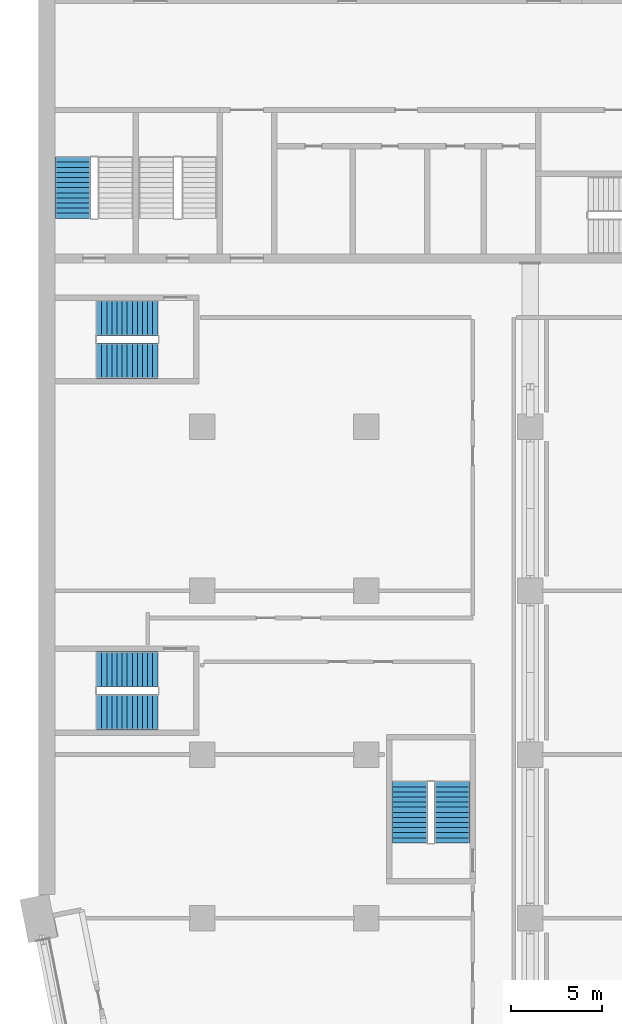
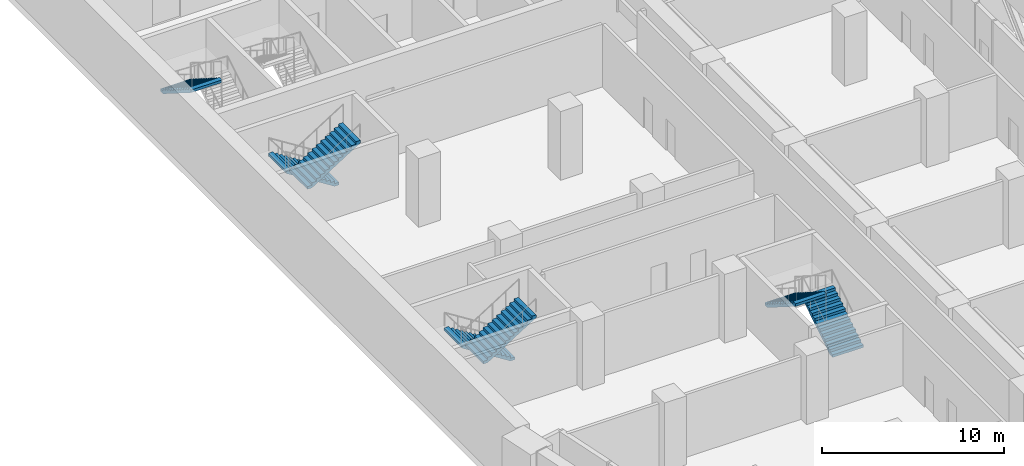
# One storey, part 15 of 24: 7 stair flights, 4 elements without a shape of their own.
"""IFC4 building model written with IfcOpenShell, lengths in metres."""

from ifc_helpers import new_model, si_unit, direction, frame, origin, place, context, subcontext, project, spatial, polyline, outline, extrude, material, type_object, element, aggregate, save


model = new_model("IFC4")

# Units and contexts
model_context = context("Model", 3, precision=1e-05, world=origin(), true_north=direction((0.0, 1.0)))
body_context = subcontext(model_context, "Body", "Model", "MODEL_VIEW")
ifc_project = project(units=[si_unit("LENGTHUNIT", "METRE"), si_unit("AREAUNIT", "SQUARE_METRE"), si_unit("VOLUMEUNIT", "CUBIC_METRE"), si_unit("PLANEANGLEUNIT", "RADIAN"), si_unit("MASSUNIT", "GRAM", prefix="KILO")], contexts=[model_context])

# Site, building, storey
site_placement = place(None, origin())
site = spatial("IfcSite", under=ifc_project, at=site_placement, CompositionType="ELEMENT")
building_placement = place(site_placement, origin())
building = spatial("IfcBuilding", under=site, at=building_placement, Name="Hunhe Ridgeline Campus", CompositionType="ELEMENT")
storey_placement = place(building_placement, frame((0.0, 0.0, 80.199951171875)))
storey = spatial("IfcBuildingStorey", under=building, at=storey_placement, Name="L19", CompositionType="ELEMENT", Elevation=80.199951171875)

# Stair, stair flight
ifc_material = material(Name="Concrete C40", Category="concrete")
stair_type = type_object("IfcStairType", Name="Reinforced concrete dog-leg stair 1950 Concrete C40", PredefinedType="HALF_TURN_STAIR", material=ifc_material)
stair_1_placement = place(storey_placement, origin())
stair_1 = element("IfcStair", 1, at=stair_1_placement, inside=storey, type_object=stair_type, Name="L19 S3", PredefinedType="HALF_TURN_STAIR")
stair_flight_type = type_object("IfcStairFlightType", Name="Reinforced concrete stair flight 1950 Concrete C40", PredefinedType="STRAIGHT", material=ifc_material)
stair_flight_1_placement = place(storey_placement, frame((1.875, 68.81005859375, 2.300048828125), z_axis=(0.0, 0.0, 1.0), x_axis=(0.0, -1.0, 0.0)))
stair_flight_1 = element("IfcStairFlight", 2, at=stair_flight_1_placement, type_object=stair_flight_type, Name="ST3 flight 2", NumberOfRisers=13, NumberOfTreads=12, PredefinedType="STRAIGHT", RiserHeight=0.176923077, TreadLength=0.28, context=body_context, shape_type="SweptSolid", body=[
    extrude(outline(polyline([(0.0, 0.0), (0.0, 0.177001953125), (0.280029296875, 0.177001953125), (0.280029296875, 0.353759765625), (0.56005859375, 0.353759765625), (0.56005859375, 0.53076171875), (0.840087890625, 0.53076171875), (0.840087890625, 0.707763671875), (1.1201171875, 0.707763671875), (1.1201171875, 0.884521484375), (1.39990234375, 0.884521484375), (1.39990234375, 1.0615234375), (1.679931640625, 1.0615234375), (1.679931640625, 1.238525390625), (1.9599609375, 1.238525390625), (1.9599609375, 1.415283203125), (2.239990234375, 1.415283203125), (2.239990234375, 1.59228515625), (2.52001953125, 1.59228515625), (2.52001953125, 1.769287109375), (2.800048828125, 1.769287109375), (2.800048828125, 1.946044921875), (3.080078125, 1.946044921875), (3.080078125, 2.123046875), (3.360107421875, 2.123046875), (3.360107421875, 2.300048828125), (3.360107421875, 1.94580078125), (0.280517578125, 0.0), (0.0, 0.0)])), frame((0.0, 0.97509765625, 0.0), z_axis=(0.0, -1.0, 0.0), x_axis=(1.0, 0.0, 0.0)), (0.0, 0.0, 1.0), 1.949951171875),
    extrude(outline(polyline([(0.030029296875, 0.030029296875), (0.030029296875, 0.14697265625), (0.31005859375, 0.14697265625), (0.31005859375, 0.32373046875), (0.590087890625, 0.32373046875), (0.590087890625, 0.500732421875), (0.8701171875, 0.500732421875), (0.8701171875, 0.677734375), (1.14990234375, 0.677734375), (1.14990234375, 0.8544921875), (1.429931640625, 0.8544921875), (1.429931640625, 1.031494140625), (1.7099609375, 1.031494140625), (1.7099609375, 1.20849609375), (1.989990234375, 1.20849609375), (1.989990234375, 1.385498046875), (2.27001953125, 1.385498046875), (2.27001953125, 1.562255859375), (2.550048828125, 1.562255859375), (2.550048828125, 1.7392578125), (2.830078125, 1.7392578125), (2.830078125, 1.916259765625), (3.110107421875, 1.916259765625), (3.110107421875, 2.093017578125), (3.330078125, 2.093017578125), (3.330078125, 1.96240234375), (0.27197265625, 0.030029296875), (0.030029296875, 0.030029296875)])), frame((0.0, -0.070068359375, 0.0), z_axis=(0.0, -1.0, 0.0), x_axis=(1.0, 0.0, 0.0)), (0.0, 0.0, 1.0), 0.019775390625),
    extrude(outline(polyline([(0.030029296875, 0.030029296875), (0.030029296875, 0.14697265625), (0.31005859375, 0.14697265625), (0.31005859375, 0.32373046875), (0.590087890625, 0.32373046875), (0.590087890625, 0.500732421875), (0.8701171875, 0.500732421875), (0.8701171875, 0.677734375), (1.14990234375, 0.677734375), (1.14990234375, 0.8544921875), (1.429931640625, 0.8544921875), (1.429931640625, 1.031494140625), (1.7099609375, 1.031494140625), (1.7099609375, 1.20849609375), (1.989990234375, 1.20849609375), (1.989990234375, 1.385498046875), (2.27001953125, 1.385498046875), (2.27001953125, 1.562255859375), (2.550048828125, 1.562255859375), (2.550048828125, 1.7392578125), (2.830078125, 1.7392578125), (2.830078125, 1.916259765625), (3.110107421875, 1.916259765625), (3.110107421875, 2.093017578125), (3.330078125, 2.093017578125), (3.330078125, 1.96240234375), (0.27197265625, 0.030029296875), (0.030029296875, 0.030029296875)])), frame((0.0, 0.010009765625, 0.0), z_axis=(0.0, -1.0, 0.0), x_axis=(1.0, 0.0, 0.0)), (0.0, 0.0, 1.0), 0.019775390625),
    extrude(outline(polyline([(0.030029296875, 0.030029296875), (0.030029296875, 0.14697265625), (0.31005859375, 0.14697265625), (0.31005859375, 0.32373046875), (0.590087890625, 0.32373046875), (0.590087890625, 0.500732421875), (0.8701171875, 0.500732421875), (0.8701171875, 0.677734375), (1.14990234375, 0.677734375), (1.14990234375, 0.8544921875), (1.429931640625, 0.8544921875), (1.429931640625, 1.031494140625), (1.7099609375, 1.031494140625), (1.7099609375, 1.20849609375), (1.989990234375, 1.20849609375), (1.989990234375, 1.385498046875), (2.27001953125, 1.385498046875), (2.27001953125, 1.562255859375), (2.550048828125, 1.562255859375), (2.550048828125, 1.7392578125), (2.830078125, 1.7392578125), (2.830078125, 1.916259765625), (3.110107421875, 1.916259765625), (3.110107421875, 2.093017578125), (3.330078125, 2.093017578125), (3.330078125, 1.96240234375), (0.27197265625, 0.030029296875), (0.030029296875, 0.030029296875)])), frame((0.0, 0.090087890625, 0.0), z_axis=(0.0, -1.0, 0.0), x_axis=(1.0, 0.0, 0.0)), (0.0, 0.0, 1.0), 0.019775390625),
])
aggregate(stair_1, [stair_flight_1])

# Stair, stair flights
stair_2_placement = place(storey_placement, origin())
stair_2 = element("IfcStair", 3, at=stair_2_placement, inside=storey, type_object=stair_type, Name="L19 W3", PredefinedType="HALF_TURN_STAIR")
stair_flight_2_placement = place(storey_placement, frame((22.72509765625, 31.14990234375, 0.0), z_axis=(0.0, 0.0, 1.0), x_axis=(0.0, 1.0, 0.0)))
stair_flight_2 = element("IfcStairFlight", 4, at=stair_flight_2_placement, type_object=stair_flight_type, Name="ST9 flight 1", NumberOfRisers=13, NumberOfTreads=12, PredefinedType="STRAIGHT", RiserHeight=0.176923077, TreadLength=0.28, context=body_context, shape_type="SweptSolid", body=[
    extrude(outline(polyline([(0.0, 0.0), (0.0, 0.177001953125), (0.280029296875, 0.177001953125), (0.280029296875, 0.353759765625), (0.56005859375, 0.353759765625), (0.56005859375, 0.53076171875), (0.840087890625, 0.53076171875), (0.840087890625, 0.707763671875), (1.1201171875, 0.707763671875), (1.1201171875, 0.884521484375), (1.39990234375, 0.884521484375), (1.39990234375, 1.0615234375), (1.679931640625, 1.0615234375), (1.679931640625, 1.238525390625), (1.9599609375, 1.238525390625), (1.9599609375, 1.415283203125), (2.239990234375, 1.415283203125), (2.239990234375, 1.59228515625), (2.52001953125, 1.59228515625), (2.52001953125, 1.769287109375), (2.800048828125, 1.769287109375), (2.800048828125, 1.946044921875), (3.080078125, 1.946044921875), (3.080078125, 2.123046875), (3.360107421875, 2.123046875), (3.360107421875, 2.300048828125), (3.360107421875, 1.94580078125), (0.280517578125, 0.0), (0.0, 0.0)])), frame((0.0, 0.97509765625, 0.0), z_axis=(0.0, -1.0, 0.0), x_axis=(1.0, 0.0, 0.0)), (0.0, 0.0, 1.0), 1.949951171875),
    extrude(outline(polyline([(0.030029296875, 0.030029296875), (0.030029296875, 0.14697265625), (0.31005859375, 0.14697265625), (0.31005859375, 0.32373046875), (0.590087890625, 0.32373046875), (0.590087890625, 0.500732421875), (0.8701171875, 0.500732421875), (0.8701171875, 0.677734375), (1.14990234375, 0.677734375), (1.14990234375, 0.8544921875), (1.429931640625, 0.8544921875), (1.429931640625, 1.031494140625), (1.7099609375, 1.031494140625), (1.7099609375, 1.20849609375), (1.989990234375, 1.20849609375), (1.989990234375, 1.385498046875), (2.27001953125, 1.385498046875), (2.27001953125, 1.562255859375), (2.550048828125, 1.562255859375), (2.550048828125, 1.7392578125), (2.830078125, 1.7392578125), (2.830078125, 1.916259765625), (3.110107421875, 1.916259765625), (3.110107421875, 2.093017578125), (3.330078125, 2.093017578125), (3.330078125, 1.96240234375), (0.27197265625, 0.030029296875), (0.030029296875, 0.030029296875)])), frame((0.0, -0.070068359375, 0.0), z_axis=(0.0, -1.0, 0.0), x_axis=(1.0, 0.0, 0.0)), (0.0, 0.0, 1.0), 0.019775390625),
    extrude(outline(polyline([(0.030029296875, 0.030029296875), (0.030029296875, 0.14697265625), (0.31005859375, 0.14697265625), (0.31005859375, 0.32373046875), (0.590087890625, 0.32373046875), (0.590087890625, 0.500732421875), (0.8701171875, 0.500732421875), (0.8701171875, 0.677734375), (1.14990234375, 0.677734375), (1.14990234375, 0.8544921875), (1.429931640625, 0.8544921875), (1.429931640625, 1.031494140625), (1.7099609375, 1.031494140625), (1.7099609375, 1.20849609375), (1.989990234375, 1.20849609375), (1.989990234375, 1.385498046875), (2.27001953125, 1.385498046875), (2.27001953125, 1.562255859375), (2.550048828125, 1.562255859375), (2.550048828125, 1.7392578125), (2.830078125, 1.7392578125), (2.830078125, 1.916259765625), (3.110107421875, 1.916259765625), (3.110107421875, 2.093017578125), (3.330078125, 2.093017578125), (3.330078125, 1.96240234375), (0.27197265625, 0.030029296875), (0.030029296875, 0.030029296875)])), frame((0.0, 0.010009765625, 0.0), z_axis=(0.0, -1.0, 0.0), x_axis=(1.0, 0.0, 0.0)), (0.0, 0.0, 1.0), 0.019775390625),
    extrude(outline(polyline([(0.030029296875, 0.030029296875), (0.030029296875, 0.14697265625), (0.31005859375, 0.14697265625), (0.31005859375, 0.32373046875), (0.590087890625, 0.32373046875), (0.590087890625, 0.500732421875), (0.8701171875, 0.500732421875), (0.8701171875, 0.677734375), (1.14990234375, 0.677734375), (1.14990234375, 0.8544921875), (1.429931640625, 0.8544921875), (1.429931640625, 1.031494140625), (1.7099609375, 1.031494140625), (1.7099609375, 1.20849609375), (1.989990234375, 1.20849609375), (1.989990234375, 1.385498046875), (2.27001953125, 1.385498046875), (2.27001953125, 1.562255859375), (2.550048828125, 1.562255859375), (2.550048828125, 1.7392578125), (2.830078125, 1.7392578125), (2.830078125, 1.916259765625), (3.110107421875, 1.916259765625), (3.110107421875, 2.093017578125), (3.330078125, 2.093017578125), (3.330078125, 1.96240234375), (0.27197265625, 0.030029296875), (0.030029296875, 0.030029296875)])), frame((0.0, 0.090087890625, 0.0), z_axis=(0.0, -1.0, 0.0), x_axis=(1.0, 0.0, 0.0)), (0.0, 0.0, 1.0), 0.019775390625),
])
stair_flight_3_placement = place(storey_placement, frame((20.375, 34.510009765625, 2.300048828125), z_axis=(0.0, 0.0, 1.0), x_axis=(0.0, -1.0, 0.0)))
stair_flight_3 = element("IfcStairFlight", 5, at=stair_flight_3_placement, type_object=stair_flight_type, Name="ST9 flight 2", NumberOfRisers=13, NumberOfTreads=12, PredefinedType="STRAIGHT", RiserHeight=0.176923077, TreadLength=0.28, context=body_context, shape_type="SweptSolid", body=[
    extrude(outline(polyline([(0.0, 0.0), (0.0, 0.177001953125), (0.280029296875, 0.177001953125), (0.280029296875, 0.353759765625), (0.56005859375, 0.353759765625), (0.56005859375, 0.53076171875), (0.840087890625, 0.53076171875), (0.840087890625, 0.707763671875), (1.1201171875, 0.707763671875), (1.1201171875, 0.884521484375), (1.39990234375, 0.884521484375), (1.39990234375, 1.0615234375), (1.679931640625, 1.0615234375), (1.679931640625, 1.238525390625), (1.9599609375, 1.238525390625), (1.9599609375, 1.415283203125), (2.239990234375, 1.415283203125), (2.239990234375, 1.59228515625), (2.52001953125, 1.59228515625), (2.52001953125, 1.769287109375), (2.800048828125, 1.769287109375), (2.800048828125, 1.946044921875), (3.080078125, 1.946044921875), (3.080078125, 2.123046875), (3.360107421875, 2.123046875), (3.360107421875, 2.300048828125), (3.360107421875, 1.94580078125), (0.280517578125, 0.0), (0.0, 0.0)])), frame((0.0, 0.97509765625, 0.0), z_axis=(0.0, -1.0, 0.0), x_axis=(1.0, 0.0, 0.0)), (0.0, 0.0, 1.0), 1.949951171875),
    extrude(outline(polyline([(0.030029296875, 0.030029296875), (0.030029296875, 0.14697265625), (0.31005859375, 0.14697265625), (0.31005859375, 0.32373046875), (0.590087890625, 0.32373046875), (0.590087890625, 0.500732421875), (0.8701171875, 0.500732421875), (0.8701171875, 0.677734375), (1.14990234375, 0.677734375), (1.14990234375, 0.8544921875), (1.429931640625, 0.8544921875), (1.429931640625, 1.031494140625), (1.7099609375, 1.031494140625), (1.7099609375, 1.20849609375), (1.989990234375, 1.20849609375), (1.989990234375, 1.385498046875), (2.27001953125, 1.385498046875), (2.27001953125, 1.562255859375), (2.550048828125, 1.562255859375), (2.550048828125, 1.7392578125), (2.830078125, 1.7392578125), (2.830078125, 1.916259765625), (3.110107421875, 1.916259765625), (3.110107421875, 2.093017578125), (3.330078125, 2.093017578125), (3.330078125, 1.96240234375), (0.27197265625, 0.030029296875), (0.030029296875, 0.030029296875)])), frame((0.0, -0.070068359375, 0.0), z_axis=(0.0, -1.0, 0.0), x_axis=(1.0, 0.0, 0.0)), (0.0, 0.0, 1.0), 0.019775390625),
    extrude(outline(polyline([(0.030029296875, 0.030029296875), (0.030029296875, 0.14697265625), (0.31005859375, 0.14697265625), (0.31005859375, 0.32373046875), (0.590087890625, 0.32373046875), (0.590087890625, 0.500732421875), (0.8701171875, 0.500732421875), (0.8701171875, 0.677734375), (1.14990234375, 0.677734375), (1.14990234375, 0.8544921875), (1.429931640625, 0.8544921875), (1.429931640625, 1.031494140625), (1.7099609375, 1.031494140625), (1.7099609375, 1.20849609375), (1.989990234375, 1.20849609375), (1.989990234375, 1.385498046875), (2.27001953125, 1.385498046875), (2.27001953125, 1.562255859375), (2.550048828125, 1.562255859375), (2.550048828125, 1.7392578125), (2.830078125, 1.7392578125), (2.830078125, 1.916259765625), (3.110107421875, 1.916259765625), (3.110107421875, 2.093017578125), (3.330078125, 2.093017578125), (3.330078125, 1.96240234375), (0.27197265625, 0.030029296875), (0.030029296875, 0.030029296875)])), frame((0.0, 0.010009765625, 0.0), z_axis=(0.0, -1.0, 0.0), x_axis=(1.0, 0.0, 0.0)), (0.0, 0.0, 1.0), 0.019775390625),
    extrude(outline(polyline([(0.030029296875, 0.030029296875), (0.030029296875, 0.14697265625), (0.31005859375, 0.14697265625), (0.31005859375, 0.32373046875), (0.590087890625, 0.32373046875), (0.590087890625, 0.500732421875), (0.8701171875, 0.500732421875), (0.8701171875, 0.677734375), (1.14990234375, 0.677734375), (1.14990234375, 0.8544921875), (1.429931640625, 0.8544921875), (1.429931640625, 1.031494140625), (1.7099609375, 1.031494140625), (1.7099609375, 1.20849609375), (1.989990234375, 1.20849609375), (1.989990234375, 1.385498046875), (2.27001953125, 1.385498046875), (2.27001953125, 1.562255859375), (2.550048828125, 1.562255859375), (2.550048828125, 1.7392578125), (2.830078125, 1.7392578125), (2.830078125, 1.916259765625), (3.110107421875, 1.916259765625), (3.110107421875, 2.093017578125), (3.330078125, 2.093017578125), (3.330078125, 1.96240234375), (0.27197265625, 0.030029296875), (0.030029296875, 0.030029296875)])), frame((0.0, 0.090087890625, 0.0), z_axis=(0.0, -1.0, 0.0), x_axis=(1.0, 0.0, 0.0)), (0.0, 0.0, 1.0), 0.019775390625),
])
aggregate(stair_2, [stair_flight_2, stair_flight_3])

stair_3_placement = place(storey_placement, origin())
stair_3 = element("IfcStair", 6, at=stair_3_placement, inside=storey, type_object=stair_type, Name="L19 W1", PredefinedType="HALF_TURN_STAIR")
stair_flight_4_placement = place(storey_placement, frame((6.550048828125, 40.675048828125, 0.0), z_axis=(0.0, 0.0, 1.0), x_axis=(-1.0, 0.0, 0.0)))
stair_flight_4 = element("IfcStairFlight", 7, at=stair_flight_4_placement, type_object=stair_flight_type, Name="ST11 flight 1", NumberOfRisers=13, NumberOfTreads=12, PredefinedType="STRAIGHT", RiserHeight=0.176923077, TreadLength=0.28, context=body_context, shape_type="SweptSolid", body=[
    extrude(outline(polyline([(0.0, 0.0), (0.0, 0.177001953125), (0.280029296875, 0.177001953125), (0.280029296875, 0.353759765625), (0.56005859375, 0.353759765625), (0.56005859375, 0.53076171875), (0.840087890625, 0.53076171875), (0.840087890625, 0.707763671875), (1.1201171875, 0.707763671875), (1.1201171875, 0.884521484375), (1.39990234375, 0.884521484375), (1.39990234375, 1.0615234375), (1.679931640625, 1.0615234375), (1.679931640625, 1.238525390625), (1.9599609375, 1.238525390625), (1.9599609375, 1.415283203125), (2.239990234375, 1.415283203125), (2.239990234375, 1.59228515625), (2.52001953125, 1.59228515625), (2.52001953125, 1.769287109375), (2.800048828125, 1.769287109375), (2.800048828125, 1.946044921875), (3.080078125, 1.946044921875), (3.080078125, 2.123046875), (3.360107421875, 2.123046875), (3.360107421875, 2.300048828125), (3.360107421875, 1.94580078125), (0.280517578125, 0.0), (0.0, 0.0)])), frame((0.0, 0.97509765625, 0.0), z_axis=(0.0, -1.0, 0.0), x_axis=(1.0, 0.0, 0.0)), (0.0, 0.0, 1.0), 1.949951171875),
    extrude(outline(polyline([(0.030029296875, 0.030029296875), (0.030029296875, 0.14697265625), (0.31005859375, 0.14697265625), (0.31005859375, 0.32373046875), (0.590087890625, 0.32373046875), (0.590087890625, 0.500732421875), (0.8701171875, 0.500732421875), (0.8701171875, 0.677734375), (1.14990234375, 0.677734375), (1.14990234375, 0.8544921875), (1.429931640625, 0.8544921875), (1.429931640625, 1.031494140625), (1.7099609375, 1.031494140625), (1.7099609375, 1.20849609375), (1.989990234375, 1.20849609375), (1.989990234375, 1.385498046875), (2.27001953125, 1.385498046875), (2.27001953125, 1.562255859375), (2.550048828125, 1.562255859375), (2.550048828125, 1.7392578125), (2.830078125, 1.7392578125), (2.830078125, 1.916259765625), (3.110107421875, 1.916259765625), (3.110107421875, 2.093017578125), (3.330078125, 2.093017578125), (3.330078125, 1.96240234375), (0.27197265625, 0.030029296875), (0.030029296875, 0.030029296875)])), frame((0.0, -0.070068359375, 0.0), z_axis=(0.0, -1.0, 0.0), x_axis=(1.0, 0.0, 0.0)), (0.0, 0.0, 1.0), 0.019775390625),
    extrude(outline(polyline([(0.030029296875, 0.030029296875), (0.030029296875, 0.14697265625), (0.31005859375, 0.14697265625), (0.31005859375, 0.32373046875), (0.590087890625, 0.32373046875), (0.590087890625, 0.500732421875), (0.8701171875, 0.500732421875), (0.8701171875, 0.677734375), (1.14990234375, 0.677734375), (1.14990234375, 0.8544921875), (1.429931640625, 0.8544921875), (1.429931640625, 1.031494140625), (1.7099609375, 1.031494140625), (1.7099609375, 1.20849609375), (1.989990234375, 1.20849609375), (1.989990234375, 1.385498046875), (2.27001953125, 1.385498046875), (2.27001953125, 1.562255859375), (2.550048828125, 1.562255859375), (2.550048828125, 1.7392578125), (2.830078125, 1.7392578125), (2.830078125, 1.916259765625), (3.110107421875, 1.916259765625), (3.110107421875, 2.093017578125), (3.330078125, 2.093017578125), (3.330078125, 1.96240234375), (0.27197265625, 0.030029296875), (0.030029296875, 0.030029296875)])), frame((0.0, 0.010009765625, 0.0), z_axis=(0.0, -1.0, 0.0), x_axis=(1.0, 0.0, 0.0)), (0.0, 0.0, 1.0), 0.019775390625),
    extrude(outline(polyline([(0.030029296875, 0.030029296875), (0.030029296875, 0.14697265625), (0.31005859375, 0.14697265625), (0.31005859375, 0.32373046875), (0.590087890625, 0.32373046875), (0.590087890625, 0.500732421875), (0.8701171875, 0.500732421875), (0.8701171875, 0.677734375), (1.14990234375, 0.677734375), (1.14990234375, 0.8544921875), (1.429931640625, 0.8544921875), (1.429931640625, 1.031494140625), (1.7099609375, 1.031494140625), (1.7099609375, 1.20849609375), (1.989990234375, 1.20849609375), (1.989990234375, 1.385498046875), (2.27001953125, 1.385498046875), (2.27001953125, 1.562255859375), (2.550048828125, 1.562255859375), (2.550048828125, 1.7392578125), (2.830078125, 1.7392578125), (2.830078125, 1.916259765625), (3.110107421875, 1.916259765625), (3.110107421875, 2.093017578125), (3.330078125, 2.093017578125), (3.330078125, 1.96240234375), (0.27197265625, 0.030029296875), (0.030029296875, 0.030029296875)])), frame((0.0, 0.090087890625, 0.0), z_axis=(0.0, -1.0, 0.0), x_axis=(1.0, 0.0, 0.0)), (0.0, 0.0, 1.0), 0.019775390625),
])
stair_flight_5_placement = place(storey_placement, frame((3.18994140625, 38.324951171875, 2.300048828125), z_axis=(0.0, 0.0, 1.0), x_axis=(1.0, 0.0, 0.0)))
stair_flight_5 = element("IfcStairFlight", 8, at=stair_flight_5_placement, type_object=stair_flight_type, Name="ST11 flight 2", NumberOfRisers=13, NumberOfTreads=12, PredefinedType="STRAIGHT", RiserHeight=0.176923077, TreadLength=0.28, context=body_context, shape_type="SweptSolid", body=[
    extrude(outline(polyline([(0.0, 0.0), (0.0, 0.177001953125), (0.280029296875, 0.177001953125), (0.280029296875, 0.353759765625), (0.56005859375, 0.353759765625), (0.56005859375, 0.53076171875), (0.840087890625, 0.53076171875), (0.840087890625, 0.707763671875), (1.1201171875, 0.707763671875), (1.1201171875, 0.884521484375), (1.39990234375, 0.884521484375), (1.39990234375, 1.0615234375), (1.679931640625, 1.0615234375), (1.679931640625, 1.238525390625), (1.9599609375, 1.238525390625), (1.9599609375, 1.415283203125), (2.239990234375, 1.415283203125), (2.239990234375, 1.59228515625), (2.52001953125, 1.59228515625), (2.52001953125, 1.769287109375), (2.800048828125, 1.769287109375), (2.800048828125, 1.946044921875), (3.080078125, 1.946044921875), (3.080078125, 2.123046875), (3.360107421875, 2.123046875), (3.360107421875, 2.300048828125), (3.360107421875, 1.94580078125), (0.280517578125, 0.0), (0.0, 0.0)])), frame((0.0, 0.97509765625, 0.0), z_axis=(0.0, -1.0, 0.0), x_axis=(1.0, 0.0, 0.0)), (0.0, 0.0, 1.0), 1.949951171875),
    extrude(outline(polyline([(0.030029296875, 0.030029296875), (0.030029296875, 0.14697265625), (0.31005859375, 0.14697265625), (0.31005859375, 0.32373046875), (0.590087890625, 0.32373046875), (0.590087890625, 0.500732421875), (0.8701171875, 0.500732421875), (0.8701171875, 0.677734375), (1.14990234375, 0.677734375), (1.14990234375, 0.8544921875), (1.429931640625, 0.8544921875), (1.429931640625, 1.031494140625), (1.7099609375, 1.031494140625), (1.7099609375, 1.20849609375), (1.989990234375, 1.20849609375), (1.989990234375, 1.385498046875), (2.27001953125, 1.385498046875), (2.27001953125, 1.562255859375), (2.550048828125, 1.562255859375), (2.550048828125, 1.7392578125), (2.830078125, 1.7392578125), (2.830078125, 1.916259765625), (3.110107421875, 1.916259765625), (3.110107421875, 2.093017578125), (3.330078125, 2.093017578125), (3.330078125, 1.96240234375), (0.27197265625, 0.030029296875), (0.030029296875, 0.030029296875)])), frame((0.0, -0.070068359375, 0.0), z_axis=(0.0, -1.0, 0.0), x_axis=(1.0, 0.0, 0.0)), (0.0, 0.0, 1.0), 0.019775390625),
    extrude(outline(polyline([(0.030029296875, 0.030029296875), (0.030029296875, 0.14697265625), (0.31005859375, 0.14697265625), (0.31005859375, 0.32373046875), (0.590087890625, 0.32373046875), (0.590087890625, 0.500732421875), (0.8701171875, 0.500732421875), (0.8701171875, 0.677734375), (1.14990234375, 0.677734375), (1.14990234375, 0.8544921875), (1.429931640625, 0.8544921875), (1.429931640625, 1.031494140625), (1.7099609375, 1.031494140625), (1.7099609375, 1.20849609375), (1.989990234375, 1.20849609375), (1.989990234375, 1.385498046875), (2.27001953125, 1.385498046875), (2.27001953125, 1.562255859375), (2.550048828125, 1.562255859375), (2.550048828125, 1.7392578125), (2.830078125, 1.7392578125), (2.830078125, 1.916259765625), (3.110107421875, 1.916259765625), (3.110107421875, 2.093017578125), (3.330078125, 2.093017578125), (3.330078125, 1.96240234375), (0.27197265625, 0.030029296875), (0.030029296875, 0.030029296875)])), frame((0.0, 0.010009765625, 0.0), z_axis=(0.0, -1.0, 0.0), x_axis=(1.0, 0.0, 0.0)), (0.0, 0.0, 1.0), 0.019775390625),
    extrude(outline(polyline([(0.030029296875, 0.030029296875), (0.030029296875, 0.14697265625), (0.31005859375, 0.14697265625), (0.31005859375, 0.32373046875), (0.590087890625, 0.32373046875), (0.590087890625, 0.500732421875), (0.8701171875, 0.500732421875), (0.8701171875, 0.677734375), (1.14990234375, 0.677734375), (1.14990234375, 0.8544921875), (1.429931640625, 0.8544921875), (1.429931640625, 1.031494140625), (1.7099609375, 1.031494140625), (1.7099609375, 1.20849609375), (1.989990234375, 1.20849609375), (1.989990234375, 1.385498046875), (2.27001953125, 1.385498046875), (2.27001953125, 1.562255859375), (2.550048828125, 1.562255859375), (2.550048828125, 1.7392578125), (2.830078125, 1.7392578125), (2.830078125, 1.916259765625), (3.110107421875, 1.916259765625), (3.110107421875, 2.093017578125), (3.330078125, 2.093017578125), (3.330078125, 1.96240234375), (0.27197265625, 0.030029296875), (0.030029296875, 0.030029296875)])), frame((0.0, 0.090087890625, 0.0), z_axis=(0.0, -1.0, 0.0), x_axis=(1.0, 0.0, 0.0)), (0.0, 0.0, 1.0), 0.019775390625),
])
aggregate(stair_3, [stair_flight_4, stair_flight_5])

stair_4_placement = place(storey_placement, origin())
stair_4 = element("IfcStair", 9, at=stair_4_placement, inside=storey, type_object=stair_type, Name="L19 W2", PredefinedType="HALF_TURN_STAIR")
stair_flight_6_placement = place(storey_placement, frame((6.550048828125, 59.97509765625, 0.0), z_axis=(0.0, 0.0, 1.0), x_axis=(-1.0, 0.0, 0.0)))
stair_flight_6 = element("IfcStairFlight", 10, at=stair_flight_6_placement, type_object=stair_flight_type, Name="ST12 flight 1", NumberOfRisers=13, NumberOfTreads=12, PredefinedType="STRAIGHT", RiserHeight=0.176923077, TreadLength=0.28, context=body_context, shape_type="SweptSolid", body=[
    extrude(outline(polyline([(0.0, 0.0), (0.0, 0.177001953125), (0.280029296875, 0.177001953125), (0.280029296875, 0.353759765625), (0.56005859375, 0.353759765625), (0.56005859375, 0.53076171875), (0.840087890625, 0.53076171875), (0.840087890625, 0.707763671875), (1.1201171875, 0.707763671875), (1.1201171875, 0.884521484375), (1.39990234375, 0.884521484375), (1.39990234375, 1.0615234375), (1.679931640625, 1.0615234375), (1.679931640625, 1.238525390625), (1.9599609375, 1.238525390625), (1.9599609375, 1.415283203125), (2.239990234375, 1.415283203125), (2.239990234375, 1.59228515625), (2.52001953125, 1.59228515625), (2.52001953125, 1.769287109375), (2.800048828125, 1.769287109375), (2.800048828125, 1.946044921875), (3.080078125, 1.946044921875), (3.080078125, 2.123046875), (3.360107421875, 2.123046875), (3.360107421875, 2.300048828125), (3.360107421875, 1.94580078125), (0.280517578125, 0.0), (0.0, 0.0)])), frame((0.0, 0.97509765625, 0.0), z_axis=(0.0, -1.0, 0.0), x_axis=(1.0, 0.0, 0.0)), (0.0, 0.0, 1.0), 1.949951171875),
    extrude(outline(polyline([(0.030029296875, 0.030029296875), (0.030029296875, 0.14697265625), (0.31005859375, 0.14697265625), (0.31005859375, 0.32373046875), (0.590087890625, 0.32373046875), (0.590087890625, 0.500732421875), (0.8701171875, 0.500732421875), (0.8701171875, 0.677734375), (1.14990234375, 0.677734375), (1.14990234375, 0.8544921875), (1.429931640625, 0.8544921875), (1.429931640625, 1.031494140625), (1.7099609375, 1.031494140625), (1.7099609375, 1.20849609375), (1.989990234375, 1.20849609375), (1.989990234375, 1.385498046875), (2.27001953125, 1.385498046875), (2.27001953125, 1.562255859375), (2.550048828125, 1.562255859375), (2.550048828125, 1.7392578125), (2.830078125, 1.7392578125), (2.830078125, 1.916259765625), (3.110107421875, 1.916259765625), (3.110107421875, 2.093017578125), (3.330078125, 2.093017578125), (3.330078125, 1.96240234375), (0.27197265625, 0.030029296875), (0.030029296875, 0.030029296875)])), frame((0.0, -0.070068359375, 0.0), z_axis=(0.0, -1.0, 0.0), x_axis=(1.0, 0.0, 0.0)), (0.0, 0.0, 1.0), 0.019775390625),
    extrude(outline(polyline([(0.030029296875, 0.030029296875), (0.030029296875, 0.14697265625), (0.31005859375, 0.14697265625), (0.31005859375, 0.32373046875), (0.590087890625, 0.32373046875), (0.590087890625, 0.500732421875), (0.8701171875, 0.500732421875), (0.8701171875, 0.677734375), (1.14990234375, 0.677734375), (1.14990234375, 0.8544921875), (1.429931640625, 0.8544921875), (1.429931640625, 1.031494140625), (1.7099609375, 1.031494140625), (1.7099609375, 1.20849609375), (1.989990234375, 1.20849609375), (1.989990234375, 1.385498046875), (2.27001953125, 1.385498046875), (2.27001953125, 1.562255859375), (2.550048828125, 1.562255859375), (2.550048828125, 1.7392578125), (2.830078125, 1.7392578125), (2.830078125, 1.916259765625), (3.110107421875, 1.916259765625), (3.110107421875, 2.093017578125), (3.330078125, 2.093017578125), (3.330078125, 1.96240234375), (0.27197265625, 0.030029296875), (0.030029296875, 0.030029296875)])), frame((0.0, 0.010009765625, 0.0), z_axis=(0.0, -1.0, 0.0), x_axis=(1.0, 0.0, 0.0)), (0.0, 0.0, 1.0), 0.019775390625),
    extrude(outline(polyline([(0.030029296875, 0.030029296875), (0.030029296875, 0.14697265625), (0.31005859375, 0.14697265625), (0.31005859375, 0.32373046875), (0.590087890625, 0.32373046875), (0.590087890625, 0.500732421875), (0.8701171875, 0.500732421875), (0.8701171875, 0.677734375), (1.14990234375, 0.677734375), (1.14990234375, 0.8544921875), (1.429931640625, 0.8544921875), (1.429931640625, 1.031494140625), (1.7099609375, 1.031494140625), (1.7099609375, 1.20849609375), (1.989990234375, 1.20849609375), (1.989990234375, 1.385498046875), (2.27001953125, 1.385498046875), (2.27001953125, 1.562255859375), (2.550048828125, 1.562255859375), (2.550048828125, 1.7392578125), (2.830078125, 1.7392578125), (2.830078125, 1.916259765625), (3.110107421875, 1.916259765625), (3.110107421875, 2.093017578125), (3.330078125, 2.093017578125), (3.330078125, 1.96240234375), (0.27197265625, 0.030029296875), (0.030029296875, 0.030029296875)])), frame((0.0, 0.090087890625, 0.0), z_axis=(0.0, -1.0, 0.0), x_axis=(1.0, 0.0, 0.0)), (0.0, 0.0, 1.0), 0.019775390625),
])
stair_flight_7_placement = place(storey_placement, frame((3.18994140625, 57.625, 2.300048828125), z_axis=(0.0, 0.0, 1.0), x_axis=(1.0, 0.0, 0.0)))
stair_flight_7 = element("IfcStairFlight", 11, at=stair_flight_7_placement, type_object=stair_flight_type, Name="ST12 flight 2", NumberOfRisers=13, NumberOfTreads=12, PredefinedType="STRAIGHT", RiserHeight=0.176923077, TreadLength=0.28, context=body_context, shape_type="SweptSolid", body=[
    extrude(outline(polyline([(0.0, 0.0), (0.0, 0.177001953125), (0.280029296875, 0.177001953125), (0.280029296875, 0.353759765625), (0.56005859375, 0.353759765625), (0.56005859375, 0.53076171875), (0.840087890625, 0.53076171875), (0.840087890625, 0.707763671875), (1.1201171875, 0.707763671875), (1.1201171875, 0.884521484375), (1.39990234375, 0.884521484375), (1.39990234375, 1.0615234375), (1.679931640625, 1.0615234375), (1.679931640625, 1.238525390625), (1.9599609375, 1.238525390625), (1.9599609375, 1.415283203125), (2.239990234375, 1.415283203125), (2.239990234375, 1.59228515625), (2.52001953125, 1.59228515625), (2.52001953125, 1.769287109375), (2.800048828125, 1.769287109375), (2.800048828125, 1.946044921875), (3.080078125, 1.946044921875), (3.080078125, 2.123046875), (3.360107421875, 2.123046875), (3.360107421875, 2.300048828125), (3.360107421875, 1.94580078125), (0.280517578125, 0.0), (0.0, 0.0)])), frame((0.0, 0.97509765625, 0.0), z_axis=(0.0, -1.0, 0.0), x_axis=(1.0, 0.0, 0.0)), (0.0, 0.0, 1.0), 1.949951171875),
    extrude(outline(polyline([(0.030029296875, 0.030029296875), (0.030029296875, 0.14697265625), (0.31005859375, 0.14697265625), (0.31005859375, 0.32373046875), (0.590087890625, 0.32373046875), (0.590087890625, 0.500732421875), (0.8701171875, 0.500732421875), (0.8701171875, 0.677734375), (1.14990234375, 0.677734375), (1.14990234375, 0.8544921875), (1.429931640625, 0.8544921875), (1.429931640625, 1.031494140625), (1.7099609375, 1.031494140625), (1.7099609375, 1.20849609375), (1.989990234375, 1.20849609375), (1.989990234375, 1.385498046875), (2.27001953125, 1.385498046875), (2.27001953125, 1.562255859375), (2.550048828125, 1.562255859375), (2.550048828125, 1.7392578125), (2.830078125, 1.7392578125), (2.830078125, 1.916259765625), (3.110107421875, 1.916259765625), (3.110107421875, 2.093017578125), (3.330078125, 2.093017578125), (3.330078125, 1.96240234375), (0.27197265625, 0.030029296875), (0.030029296875, 0.030029296875)])), frame((0.0, -0.070068359375, 0.0), z_axis=(0.0, -1.0, 0.0), x_axis=(1.0, 0.0, 0.0)), (0.0, 0.0, 1.0), 0.019775390625),
    extrude(outline(polyline([(0.030029296875, 0.030029296875), (0.030029296875, 0.14697265625), (0.31005859375, 0.14697265625), (0.31005859375, 0.32373046875), (0.590087890625, 0.32373046875), (0.590087890625, 0.500732421875), (0.8701171875, 0.500732421875), (0.8701171875, 0.677734375), (1.14990234375, 0.677734375), (1.14990234375, 0.8544921875), (1.429931640625, 0.8544921875), (1.429931640625, 1.031494140625), (1.7099609375, 1.031494140625), (1.7099609375, 1.20849609375), (1.989990234375, 1.20849609375), (1.989990234375, 1.385498046875), (2.27001953125, 1.385498046875), (2.27001953125, 1.562255859375), (2.550048828125, 1.562255859375), (2.550048828125, 1.7392578125), (2.830078125, 1.7392578125), (2.830078125, 1.916259765625), (3.110107421875, 1.916259765625), (3.110107421875, 2.093017578125), (3.330078125, 2.093017578125), (3.330078125, 1.96240234375), (0.27197265625, 0.030029296875), (0.030029296875, 0.030029296875)])), frame((0.0, 0.010009765625, 0.0), z_axis=(0.0, -1.0, 0.0), x_axis=(1.0, 0.0, 0.0)), (0.0, 0.0, 1.0), 0.019775390625),
    extrude(outline(polyline([(0.030029296875, 0.030029296875), (0.030029296875, 0.14697265625), (0.31005859375, 0.14697265625), (0.31005859375, 0.32373046875), (0.590087890625, 0.32373046875), (0.590087890625, 0.500732421875), (0.8701171875, 0.500732421875), (0.8701171875, 0.677734375), (1.14990234375, 0.677734375), (1.14990234375, 0.8544921875), (1.429931640625, 0.8544921875), (1.429931640625, 1.031494140625), (1.7099609375, 1.031494140625), (1.7099609375, 1.20849609375), (1.989990234375, 1.20849609375), (1.989990234375, 1.385498046875), (2.27001953125, 1.385498046875), (2.27001953125, 1.562255859375), (2.550048828125, 1.562255859375), (2.550048828125, 1.7392578125), (2.830078125, 1.7392578125), (2.830078125, 1.916259765625), (3.110107421875, 1.916259765625), (3.110107421875, 2.093017578125), (3.330078125, 2.093017578125), (3.330078125, 1.96240234375), (0.27197265625, 0.030029296875), (0.030029296875, 0.030029296875)])), frame((0.0, 0.090087890625, 0.0), z_axis=(0.0, -1.0, 0.0), x_axis=(1.0, 0.0, 0.0)), (0.0, 0.0, 1.0), 0.019775390625),
])
aggregate(stair_4, [stair_flight_6, stair_flight_7])

save(model, "model.ifc")
